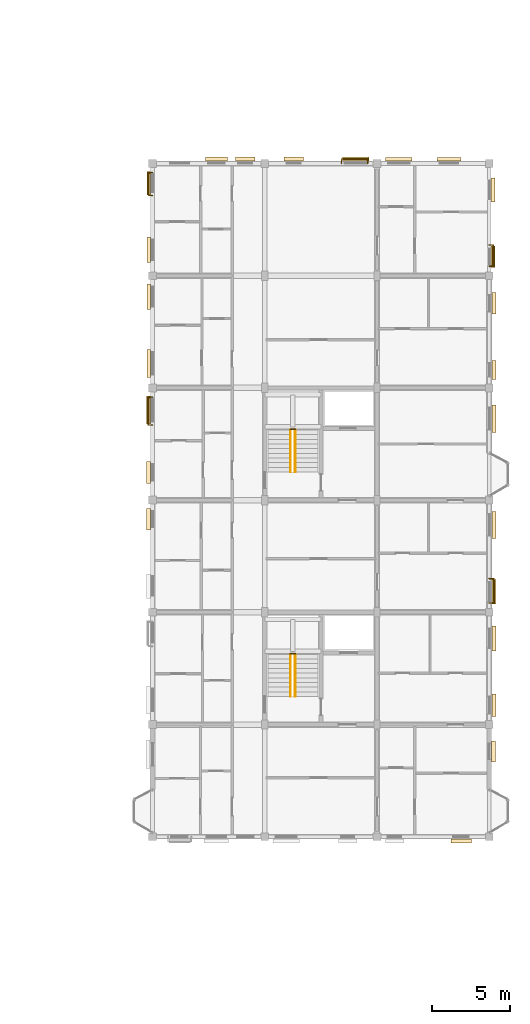
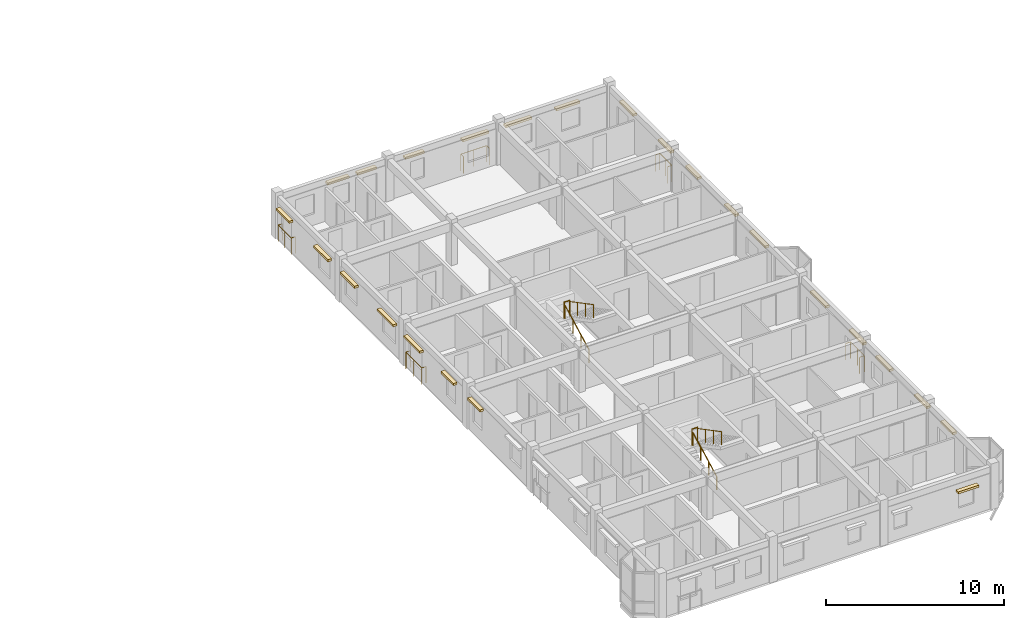
# One storey, part 61 of 64: 24 coverings, 11 railings.
"""IFC4 building model written with IfcOpenShell, lengths in metres."""

from ifc_helpers import new_model, si_unit, direction, frame, origin, origin_2d, place, context, subcontext, project, spatial, rectangle, circle, extrude, material, layer, layer_set, type_object, element, save


model = new_model("IFC4")

# Units and contexts
model_context = context("Model", 3, precision=1e-05, world=origin(), true_north=direction((0.0, 1.0)))
body_context = subcontext(model_context, "Body", "Model", "MODEL_VIEW")
ifc_project = project(units=[si_unit("LENGTHUNIT", "METRE"), si_unit("AREAUNIT", "SQUARE_METRE"), si_unit("VOLUMEUNIT", "CUBIC_METRE"), si_unit("PLANEANGLEUNIT", "RADIAN"), si_unit("MASSUNIT", "GRAM", prefix="KILO"), si_unit("THERMODYNAMICTEMPERATUREUNIT", "KELVIN"), si_unit("POWERUNIT", "WATT")], contexts=[model_context])

# Site, building, storey
site_placement = place(None, origin())
site = spatial("IfcSite", under=ifc_project, at=site_placement, CompositionType="ELEMENT")
building_placement = place(site_placement, origin())
building = spatial("IfcBuilding", under=site, at=building_placement, Name="Tavuni Mirador Residences", CompositionType="ELEMENT")
storey_placement = place(building_placement, frame((0.0, 0.0, 26.550048828125)))
storey = spatial("IfcBuildingStorey", under=building, at=storey_placement, Name="L08", CompositionType="ELEMENT", Elevation=26.550048828125)

# Coverings
ifc_material_1 = material(Name="Natural coral limestone", Category="masonry")
ifc_layer = layer(ifc_material_1, 0.054931640625, Name="Natural coral limestone", Category="masonry")
ifc_layer_set = layer_set([ifc_layer], Name="Natural coral limestone")
covering_type = type_object("IfcCoveringType", Name="CVT-CLAD-CORAL", PredefinedType="CLADDING", material=ifc_layer_set)
covering_1_placement = place(storey_placement, frame((117.0, 86.133056640625, 1.955078125), z_axis=(0.0, 0.0, 1.0), x_axis=(1.0, 0.0, 0.0)))
element("IfcCovering", 1, at=covering_1_placement, inside=storey, type_object=covering_type, Name="HOOD-1043", PredefinedType="CLADDING", context=body_context, shape_type="SweptSolid", body=[
    extrude(rectangle(XDim=1.340087890625, YDim=0.25, at=origin_2d()), origin(), (0.0, 0.0, 1.0), 0.14990234375),
])
covering_2_placement = place(storey_placement, frame((119.08447265625, 91.860107421875, 1.9501953125), z_axis=(0.0, 0.0, 1.0), x_axis=(0.0, 1.0, 0.0)))
element("IfcCovering", 2, at=covering_2_placement, inside=storey, type_object=covering_type, Name="HOOD-1044", PredefinedType="CLADDING", context=body_context, shape_type="SweptSolid", body=[
    extrude(rectangle(XDim=1.360107421875, YDim=0.260009765625, at=origin_2d()), origin(), (0.0, 0.0, 1.0), 0.159912109375),
])
covering_3_placement = place(storey_placement, frame((119.094482421875, 94.840087890625, 1.955078125), z_axis=(0.0, 0.0, 1.0), x_axis=(0.0, 1.0, 0.0)))
element("IfcCovering", 3, at=covering_3_placement, inside=storey, type_object=covering_type, Name="HOOD-1045", PredefinedType="CLADDING", context=body_context, shape_type="SweptSolid", body=[
    extrude(rectangle(XDim=1.419921875, YDim=0.25, at=origin_2d()), origin(), (0.0, 0.0, 1.0), 0.14990234375),
])
for number, where, z_axis, x_axis, name in (
    (4, (119.094482421875, 99.1201171875, 1.955078125), (0.0, 0.0, 1.0), (0.0, 1.0, 0.0), "HOOD-1046"),
    (5, (119.094482421875, 102.1201171875, 1.955078125), (0.0, 0.0, 1.0), (0.0, 1.0, 0.0), "HOOD-1047"),
):
    element("IfcCovering", number, at=place(storey_placement, frame(where, z_axis=z_axis, x_axis=x_axis)), inside=storey, type_object=covering_type, Name=name, PredefinedType="CLADDING", context=body_context, shape_type="SweptSolid", body=[
        extrude(rectangle(XDim=1.580078125, YDim=0.25, at=origin_2d()), origin(), (0.0, 0.0, 1.0), 0.14990234375),
    ])
covering_4_placement = place(storey_placement, frame((119.094482421875, 106.39990234375, 1.955078125), z_axis=(0.0, 0.0, 1.0), x_axis=(0.0, 1.0, 0.0)))
element("IfcCovering", 6, at=covering_4_placement, inside=storey, type_object=covering_type, Name="HOOD-1048", PredefinedType="CLADDING", context=body_context, shape_type="SweptSolid", body=[
    extrude(rectangle(XDim=1.739990234375, YDim=0.25, at=origin_2d()), origin(), (0.0, 0.0, 1.0), 0.14990234375),
])
covering_5_placement = place(storey_placement, frame((119.099609375, 113.219970703125, 1.9501953125), z_axis=(0.0, 0.0, 1.0), x_axis=(0.0, 1.0, 0.0)))
element("IfcCovering", 7, at=covering_5_placement, inside=storey, type_object=covering_type, Name="HOOD-1049", PredefinedType="CLADDING", context=body_context, shape_type="SweptSolid", body=[
    extrude(rectangle(XDim=1.760009765625, YDim=0.260009765625, at=origin_2d()), origin(), (0.0, 0.0, 1.0), 0.159912109375),
])
covering_6_placement = place(storey_placement, frame((119.094482421875, 116.340087890625, 2.06494140625), z_axis=(0.0, 0.0, 1.0), x_axis=(0.0, 1.0, 0.0)))
element("IfcCovering", 8, at=covering_6_placement, inside=storey, type_object=covering_type, Name="HOOD-1050", PredefinedType="CLADDING", context=body_context, shape_type="SweptSolid", body=[
    extrude(rectangle(XDim=1.219970703125, YDim=0.25, at=origin_2d()), origin(), (0.0, 0.0, 1.0), 0.14990234375),
])
for number, where, z_axis, x_axis, name in (
    (9, (119.094482421875, 120.6201171875, 2.06494140625), (0.0, 0.0, 1.0), (0.0, 1.0, 0.0), "HOOD-1051"),
    (10, (119.04443359375, 123.6201171875, 2.06494140625), (0.0, 0.0, 1.0), (0.0, 1.0, 0.0), "HOOD-1052"),
):
    element("IfcCovering", number, at=place(storey_placement, frame(where, z_axis=z_axis, x_axis=x_axis)), inside=storey, type_object=covering_type, Name=name, PredefinedType="CLADDING", context=body_context, shape_type="SweptSolid", body=[
        extrude(rectangle(XDim=1.3798828125, YDim=0.25, at=origin_2d()), origin(), (0.0, 0.0, 1.0), 0.14990234375),
    ])
for number, where, z_axis, x_axis, name in (
    (11, (119.04443359375, 127.89990234375, 2.06494140625), (0.0, 0.0, 1.0), (0.0, 1.0, 0.0), "HOOD-1053"),
    (12, (116.215087890625, 129.866943359375, 2.06494140625), (0.0, 0.0, 1.0), (-1.0, 0.0, 0.0), "HOOD-1054"),
):
    element("IfcCovering", number, at=place(storey_placement, frame(where, z_axis=z_axis, x_axis=x_axis)), inside=storey, type_object=covering_type, Name=name, PredefinedType="CLADDING", context=body_context, shape_type="SweptSolid", body=[
        extrude(rectangle(XDim=1.5400390625, YDim=0.25, at=origin_2d()), origin(), (0.0, 0.0, 1.0), 0.14990234375),
    ])
for number, where, z_axis, x_axis, name in (
    (13, (113.0048828125, 129.866943359375, 2.06494140625), (0.0, 0.0, 1.0), (-1.0, 0.0, 0.0), "HOOD-1055"),
    (14, (110.219970703125, 129.87451171875, 2.06494140625), (0.0, 0.0, 1.0), (-1.0, 0.0, 0.0), "HOOD-1056"),
):
    element("IfcCovering", number, at=place(storey_placement, frame(where, z_axis=z_axis, x_axis=x_axis)), inside=storey, type_object=covering_type, Name=name, PredefinedType="CLADDING", context=body_context, shape_type="SweptSolid", body=[
        extrude(rectangle(XDim=1.699951171875, YDim=0.25, at=origin_2d()), origin(), (0.0, 0.0, 1.0), 0.14990234375),
    ])
for number, where, z_axis, x_axis, name in (
    (15, (106.25, 129.87451171875, 2.1650390625), (0.0, 0.0, 1.0), (-1.0, 0.0, 0.0), "HOOD-1057"),
    (16, (103.155029296875, 129.87939453125, 2.1650390625), (0.0, 0.0, 1.0), (-1.0, 0.0, 0.0), "HOOD-1058"),
):
    element("IfcCovering", number, at=place(storey_placement, frame(where, z_axis=z_axis, x_axis=x_axis)), inside=storey, type_object=covering_type, Name=name, PredefinedType="CLADDING", context=body_context, shape_type="SweptSolid", body=[
        extrude(rectangle(XDim=1.239990234375, YDim=0.25, at=origin_2d()), origin(), (0.0, 0.0, 1.0), 0.14990234375),
    ])
covering_7_placement = place(storey_placement, frame((101.2900390625, 129.87939453125, 2.1650390625), z_axis=(0.0, 0.0, 1.0), x_axis=(-1.0, 0.0, 0.0)))
element("IfcCovering", 17, at=covering_7_placement, inside=storey, type_object=covering_type, Name="HOOD-1059", PredefinedType="CLADDING", context=body_context, shape_type="SweptSolid", body=[
    extrude(rectangle(XDim=1.39990234375, YDim=0.25, at=origin_2d()), origin(), (0.0, 0.0, 1.0), 0.14990234375),
])
covering_8_placement = place(storey_placement, frame((96.95556640625, 128.330078125, 2.1650390625), z_axis=(0.0, 0.0, 1.0), x_axis=(0.0, -1.0, 0.0)))
element("IfcCovering", 18, at=covering_8_placement, inside=storey, type_object=covering_type, Name="HOOD-1060", PredefinedType="CLADDING", context=body_context, shape_type="SweptSolid", body=[
    extrude(rectangle(XDim=1.47998046875, YDim=0.25, at=origin_2d()), origin(), (0.0, 0.0, 1.0), 0.14990234375),
])
for number, where, z_axis, x_axis, name in (
    (19, (96.95556640625, 124.050048828125, 2.1650390625), (0.0, 0.0, 1.0), (0.0, -1.0, 0.0), "HOOD-1061"),
    (20, (96.950439453125, 121.050048828125, 2.1650390625), (0.0, 0.0, 1.0), (0.0, -1.0, 0.0), "HOOD-1062"),
):
    element("IfcCovering", number, at=place(storey_placement, frame(where, z_axis=z_axis, x_axis=x_axis)), inside=storey, type_object=covering_type, Name=name, PredefinedType="CLADDING", context=body_context, shape_type="SweptSolid", body=[
        extrude(rectangle(XDim=1.639892578125, YDim=0.25, at=origin_2d()), origin(), (0.0, 0.0, 1.0), 0.14990234375),
    ])
for number, where, z_axis, x_axis, name in (
    (21, (96.950439453125, 116.77001953125, 2.1650390625), (0.0, 0.0, 1.0), (0.0, -1.0, 0.0), "HOOD-1063"),
    (22, (96.9404296875, 113.77001953125, 2.1650390625), (0.0, 0.0, 1.0), (0.0, -1.0, 0.0), "HOOD-1064"),
):
    element("IfcCovering", number, at=place(storey_placement, frame(where, z_axis=z_axis, x_axis=x_axis)), inside=storey, type_object=covering_type, Name=name, PredefinedType="CLADDING", context=body_context, shape_type="SweptSolid", body=[
        extrude(rectangle(XDim=1.800048828125, YDim=0.25, at=origin_2d()), origin(), (0.0, 0.0, 1.0), 0.14990234375),
    ])
for number, where, z_axis, x_axis, name in (
    (23, (96.9404296875, 109.77490234375, 2.2451171875), (0.0, 0.0, 1.0), (0.0, -1.0, 0.0), "HOOD-1065"),
    (24, (96.93310546875, 106.77490234375, 2.2451171875), (0.0, 0.0, 1.0), (0.0, -1.0, 0.0), "HOOD-1066"),
):
    element("IfcCovering", number, at=place(storey_placement, frame(where, z_axis=z_axis, x_axis=x_axis)), inside=storey, type_object=covering_type, Name=name, PredefinedType="CLADDING", context=body_context, shape_type="SweptSolid", body=[
        extrude(rectangle(XDim=1.389892578125, YDim=0.25, at=origin_2d()), origin(), (0.0, 0.0, 1.0), 0.14990234375),
    ])

# Railings
ifc_material_2 = material(Name="Structural steel S355", Category="steel")
railing_type_1 = type_object("IfcRailingType", Name="RT-BL1150", PredefinedType="BALUSTRADE", material=ifc_material_2)
railing_1_placement = place(storey_placement, frame((118.800048828125, 101.39990234375, 0.0400390625)))
element("IfcRailing", 25, at=railing_1_placement, inside=storey, type_object=railing_type_1, Name="BALC-BLK-D-L08-E02", PredefinedType="BALUSTRADE", context=body_context, shape_type="SweptSolid", body=[
    extrude(circle(Radius=0.02392578125, at=origin_2d()), frame((0.0, 0.0, 1.1259765625), z_axis=(1.0, 0.0, 0.0), x_axis=(0.0, 1.0, 0.0)), (0.0, 0.0, 1.0), 0.3125),
    extrude(circle(Radius=0.02392578125, at=origin_2d()), frame((0.3125, 0.0, 1.1259765625), z_axis=(0.0, 1.0, 0.0), x_axis=(-1.0, 0.0, 0.0)), (0.0, 0.0, 1.0), 1.56005859375),
    extrude(circle(Radius=0.02392578125, at=origin_2d()), frame((0.3125, 1.56005859375, 1.1259765625), z_axis=(-1.0, 0.0, 0.0), x_axis=(0.0, -1.0, 0.0)), (0.0, 0.0, 1.0), 0.3125),
    extrude(circle(Radius=0.02099609375, at=origin_2d()), origin(), (0.0, 0.0, 1.0), 1.101806640625),
    extrude(circle(Radius=0.02099609375, at=origin_2d()), frame((0.3125, 0.0, 0.0)), (0.0, 0.0, 1.0), 1.101806640625),
    extrude(circle(Radius=0.02099609375, at=origin_2d()), frame((0.3125, 0.780029296875, 0.0)), (0.0, 0.0, 1.0), 1.101806640625),
    extrude(circle(Radius=0.02099609375, at=origin_2d()), frame((0.3125, 1.56005859375, 0.0)), (0.0, 0.0, 1.0), 1.101806640625),
    extrude(circle(Radius=0.02099609375, at=origin_2d()), frame((0.0, 1.56005859375, 0.0)), (0.0, 0.0, 1.0), 1.101806640625),
])
railing_2_placement = place(storey_placement, frame((118.800048828125, 123.0, 0.0400390625)))
element("IfcRailing", 26, at=railing_2_placement, inside=storey, type_object=railing_type_1, Name="BALC-BLK-D-L08-E05", PredefinedType="BALUSTRADE", context=body_context, shape_type="SweptSolid", body=[
    extrude(circle(Radius=0.02392578125, at=origin_2d()), frame((0.0, 0.0, 1.1259765625), z_axis=(1.0, 0.0, 0.0), x_axis=(0.0, 1.0, 0.0)), (0.0, 0.0, 1.0), 0.262451171875),
    extrude(circle(Radius=0.02392578125, at=origin_2d()), frame((0.262451171875, 0.0, 1.1259765625), z_axis=(0.0, 1.0, 0.0), x_axis=(-1.0, 0.0, 0.0)), (0.0, 0.0, 1.0), 1.360107421875),
    extrude(circle(Radius=0.02392578125, at=origin_2d()), frame((0.262451171875, 1.360107421875, 1.1259765625), z_axis=(-1.0, 0.0, 0.0), x_axis=(0.0, -1.0, 0.0)), (0.0, 0.0, 1.0), 0.262451171875),
    extrude(circle(Radius=0.02099609375, at=origin_2d()), origin(), (0.0, 0.0, 1.0), 1.101806640625),
    extrude(circle(Radius=0.02099609375, at=origin_2d()), frame((0.262451171875, 0.0, 0.0)), (0.0, 0.0, 1.0), 1.101806640625),
    extrude(circle(Radius=0.02099609375, at=origin_2d()), frame((0.262451171875, 0.68017578125, 0.0)), (0.0, 0.0, 1.0), 1.101806640625),
    extrude(circle(Radius=0.02099609375, at=origin_2d()), frame((0.262451171875, 1.360107421875, 0.0)), (0.0, 0.0, 1.0), 1.101806640625),
    extrude(circle(Radius=0.02099609375, at=origin_2d()), frame((0.0, 1.360107421875, 0.0)), (0.0, 0.0, 1.0), 1.101806640625),
])
railing_3_placement = place(storey_placement, frame((111.0, 129.60009765625, 0.0400390625)))
element("IfcRailing", 27, at=railing_3_placement, inside=storey, type_object=railing_type_1, Name="BALC-BLK-D-L08-N01", PredefinedType="BALUSTRADE", context=body_context, shape_type="SweptSolid", body=[
    extrude(circle(Radius=0.02392578125, at=origin_2d()), frame((0.0, 0.0, 1.1259765625), z_axis=(0.0, 1.0, 0.0), x_axis=(-1.0, 0.0, 0.0)), (0.0, 0.0, 1.0), 0.29248046875),
    extrude(circle(Radius=0.02392578125, at=origin_2d()), frame((0.0, 0.29248046875, 1.1259765625), z_axis=(-1.0, 0.0, 0.0), x_axis=(0.0, -1.0, 0.0)), (0.0, 0.0, 1.0), 1.679931640625),
    extrude(circle(Radius=0.02392578125, at=origin_2d()), frame((-1.679931640625, 0.29248046875, 1.1259765625), z_axis=(0.0, -1.0, 0.0), x_axis=(1.0, 0.0, 0.0)), (0.0, 0.0, 1.0), 0.29248046875),
    extrude(circle(Radius=0.02099609375, at=origin_2d()), origin(), (0.0, 0.0, 1.0), 1.101806640625),
    extrude(circle(Radius=0.02099609375, at=origin_2d()), frame((0.0, 0.29248046875, 0.0)), (0.0, 0.0, 1.0), 1.101806640625),
    extrude(circle(Radius=0.02099609375, at=origin_2d()), frame((-0.83984375, 0.29248046875, 0.0)), (0.0, 0.0, 1.0), 1.101806640625),
    extrude(circle(Radius=0.02099609375, at=origin_2d()), frame((-1.679931640625, 0.29248046875, 0.0)), (0.0, 0.0, 1.0), 1.101806640625),
    extrude(circle(Radius=0.02099609375, at=origin_2d()), frame((-1.679931640625, 0.0, 0.0)), (0.0, 0.0, 1.0), 1.101806640625),
])
railing_4_placement = place(storey_placement, frame((97.199951171875, 129.0, 0.0400390625)))
element("IfcRailing", 28, at=railing_4_placement, inside=storey, type_object=railing_type_1, Name="BALC-BLK-D-L08-W05", PredefinedType="BALUSTRADE", context=body_context, shape_type="SweptSolid", body=[
    extrude(circle(Radius=0.02392578125, at=origin_2d()), frame((0.0, 0.0, 1.1259765625), z_axis=(-1.0, 0.0, 0.0), x_axis=(0.0, -1.0, 0.0)), (0.0, 0.0, 1.0), 0.262451171875),
    extrude(circle(Radius=0.02392578125, at=origin_2d()), frame((-0.262451171875, 0.0, 1.1259765625), z_axis=(0.0, -1.0, 0.0), x_axis=(1.0, 0.0, 0.0)), (0.0, 0.0, 1.0), 1.4599609375),
    extrude(circle(Radius=0.02392578125, at=origin_2d()), frame((-0.262451171875, -1.4599609375, 1.1259765625), z_axis=(1.0, 0.0, 0.0), x_axis=(0.0, 1.0, 0.0)), (0.0, 0.0, 1.0), 0.262451171875),
    extrude(circle(Radius=0.02099609375, at=origin_2d()), origin(), (0.0, 0.0, 1.0), 1.101806640625),
    extrude(circle(Radius=0.02099609375, at=origin_2d()), frame((-0.262451171875, 0.0, 0.0)), (0.0, 0.0, 1.0), 1.101806640625),
    extrude(circle(Radius=0.02099609375, at=origin_2d()), frame((-0.262451171875, -0.72998046875, 0.0)), (0.0, 0.0, 1.0), 1.101806640625),
    extrude(circle(Radius=0.02099609375, at=origin_2d()), frame((-0.262451171875, -1.4599609375, 0.0)), (0.0, 0.0, 1.0), 1.101806640625),
    extrude(circle(Radius=0.02099609375, at=origin_2d()), frame((0.0, -1.4599609375, 0.0)), (0.0, 0.0, 1.0), 1.101806640625),
])
railing_5_placement = place(storey_placement, frame((97.199951171875, 114.60009765625, 0.0400390625)))
element("IfcRailing", 29, at=railing_5_placement, inside=storey, type_object=railing_type_1, Name="BALC-BLK-D-L08-W03", PredefinedType="BALUSTRADE", context=body_context, shape_type="SweptSolid", body=[
    extrude(circle(Radius=0.02392578125, at=origin_2d()), frame((0.0, 0.0, 1.1259765625), z_axis=(-1.0, 0.0, 0.0), x_axis=(0.0, -1.0, 0.0)), (0.0, 0.0, 1.0), 0.27734375),
    extrude(circle(Radius=0.02392578125, at=origin_2d()), frame((-0.27734375, 0.0, 1.1259765625), z_axis=(0.0, -1.0, 0.0), x_axis=(1.0, 0.0, 0.0)), (0.0, 0.0, 1.0), 1.780029296875),
    extrude(circle(Radius=0.02392578125, at=origin_2d()), frame((-0.27734375, -1.780029296875, 1.1259765625), z_axis=(1.0, 0.0, 0.0), x_axis=(0.0, 1.0, 0.0)), (0.0, 0.0, 1.0), 0.27734375),
    extrude(circle(Radius=0.02099609375, at=origin_2d()), origin(), (0.0, 0.0, 1.0), 1.101806640625),
    extrude(circle(Radius=0.02099609375, at=origin_2d()), frame((-0.27734375, 0.0, 0.0)), (0.0, 0.0, 1.0), 1.101806640625),
    extrude(circle(Radius=0.02099609375, at=origin_2d()), frame((-0.27734375, -0.89013671875, 0.0)), (0.0, 0.0, 1.0), 1.101806640625),
    extrude(circle(Radius=0.02099609375, at=origin_2d()), frame((-0.27734375, -1.780029296875, 0.0)), (0.0, 0.0, 1.0), 1.101806640625),
    extrude(circle(Radius=0.02099609375, at=origin_2d()), frame((0.0, -1.780029296875, 0.0)), (0.0, 0.0, 1.0), 1.101806640625),
])
railing_type_2 = type_object("IfcRailingType", Name="RT-GR1120", PredefinedType="GUARDRAIL", material=ifc_material_2)
for number, where, name in (
    (30, (106.02001953125, 98.139892578125, 1.574951171875), "GRD-HL-ST7-L08"),
    (31, (106.02001953125, 112.5400390625, 1.574951171875), "GRD-HL-ST8-L08"),
):
    element("IfcRailing", number, at=place(storey_placement, frame(where)), inside=storey, type_object=railing_type_2, Name=name, PredefinedType="GUARDRAIL", context=body_context, shape_type="SweptSolid", body=[
        extrude(circle(Radius=0.02392578125, at=origin_2d()), frame((0.0, 0.0, 1.09619140625), z_axis=(1.0, 0.0, 0.0), x_axis=(0.0, 1.0, 0.0)), (0.0, 0.0, 1.0), 0.35986328125),
        extrude(circle(Radius=0.02099609375, at=origin_2d()), origin(), (0.0, 0.0, 1.0), 1.072021484375),
        extrude(circle(Radius=0.02099609375, at=origin_2d()), frame((0.35986328125, 0.0, 0.0)), (0.0, 0.0, 1.0), 1.072021484375),
    ])
railing_type_3 = type_object("IfcRailingType", Name="RT-HR920", PredefinedType="HANDRAIL", material=ifc_material_2)
railing_6_placement = place(storey_placement, frame((106.050048828125, 95.39990234375, 0.157470703125)))
element("IfcRailing", 32, at=railing_6_placement, inside=storey, type_object=railing_type_3, Name="HR-ST7-L08-F1", PredefinedType="HANDRAIL", context=body_context, shape_type="SweptSolid", body=[
    extrude(circle(Radius=0.02392578125, at=origin_2d()), frame((0.0, 0.0, 0.89599609375), z_axis=(0.0, 0.885414376231, 0.464802519747), x_axis=(-1.0, 0.0, 0.0)), (0.0, 0.0, 1.0), 3.049560546875),
    extrude(circle(Radius=0.02099609375, at=origin_2d()), origin(), (0.0, 0.0, 1.0), 0.871826171875),
    extrude(circle(Radius=0.02099609375, at=origin_2d()), frame((0.0, 0.900146484375, 0.472412109375)), (0.0, 0.0, 1.0), 0.871826171875),
    extrude(circle(Radius=0.02099609375, at=origin_2d()), frame((0.0, 1.800048828125, 0.945068359375)), (0.0, 0.0, 1.0), 0.871826171875),
    extrude(circle(Radius=0.02099609375, at=origin_2d()), frame((0.0, 2.7001953125, 1.41748046875)), (0.0, 0.0, 1.0), 0.871826171875),
])
railing_7_placement = place(storey_placement, frame((106.35009765625, 98.10009765625, 1.732421875)))
element("IfcRailing", 33, at=railing_7_placement, inside=storey, type_object=railing_type_3, Name="HR-ST7-L08-F2", PredefinedType="HANDRAIL", context=body_context, shape_type="SweptSolid", body=[
    extrude(circle(Radius=0.02392578125, at=origin_2d()), frame((0.0, 0.0, 0.89599609375), z_axis=(0.0, -0.885414376231, 0.464802519747), x_axis=(1.0, 0.0, 0.0)), (0.0, 0.0, 1.0), 3.049560546875),
    extrude(circle(Radius=0.02099609375, at=origin_2d()), origin(), (0.0, 0.0, 1.0), 0.871826171875),
    extrude(circle(Radius=0.02099609375, at=origin_2d()), frame((0.0, -0.900146484375, 0.472412109375)), (0.0, 0.0, 1.0), 0.871826171875),
    extrude(circle(Radius=0.02099609375, at=origin_2d()), frame((0.0, -1.800048828125, 0.945068359375)), (0.0, 0.0, 1.0), 0.871826171875),
    extrude(circle(Radius=0.02099609375, at=origin_2d()), frame((0.0, -2.7001953125, 1.41748046875)), (0.0, 0.0, 1.0), 0.871826171875),
])
railing_8_placement = place(storey_placement, frame((106.050048828125, 109.800048828125, 0.157470703125)))
element("IfcRailing", 34, at=railing_8_placement, inside=storey, type_object=railing_type_3, Name="HR-ST8-L08-F1", PredefinedType="HANDRAIL", context=body_context, shape_type="SweptSolid", body=[
    extrude(circle(Radius=0.02392578125, at=origin_2d()), frame((0.0, 0.0, 0.89599609375), z_axis=(0.0, 0.885397079081, 0.464835468048), x_axis=(-1.0, 0.0, 0.0)), (0.0, 0.0, 1.0), 3.04931640625),
    extrude(circle(Radius=0.02099609375, at=origin_2d()), origin(), (0.0, 0.0, 1.0), 0.871826171875),
    extrude(circle(Radius=0.02099609375, at=origin_2d()), frame((0.0, 0.89990234375, 0.472412109375)), (0.0, 0.0, 1.0), 0.871826171875),
    extrude(circle(Radius=0.02099609375, at=origin_2d()), frame((0.0, 1.800048828125, 0.945068359375)), (0.0, 0.0, 1.0), 0.871826171875),
    extrude(circle(Radius=0.02099609375, at=origin_2d()), frame((0.0, 2.699951171875, 1.41748046875)), (0.0, 0.0, 1.0), 0.871826171875),
])
railing_9_placement = place(storey_placement, frame((106.35009765625, 112.5, 1.732421875)))
element("IfcRailing", 35, at=railing_9_placement, inside=storey, type_object=railing_type_3, Name="HR-ST8-L08-F2", PredefinedType="HANDRAIL", context=body_context, shape_type="SweptSolid", body=[
    extrude(circle(Radius=0.02392578125, at=origin_2d()), frame((0.0, 0.0, 0.89599609375), z_axis=(0.0, -0.885397079081, 0.464835468048), x_axis=(1.0, 0.0, 0.0)), (0.0, 0.0, 1.0), 3.04931640625),
    extrude(circle(Radius=0.02099609375, at=origin_2d()), origin(), (0.0, 0.0, 1.0), 0.871826171875),
    extrude(circle(Radius=0.02099609375, at=origin_2d()), frame((0.0, -0.89990234375, 0.472412109375)), (0.0, 0.0, 1.0), 0.871826171875),
    extrude(circle(Radius=0.02099609375, at=origin_2d()), frame((0.0, -1.800048828125, 0.945068359375)), (0.0, 0.0, 1.0), 0.871826171875),
    extrude(circle(Radius=0.02099609375, at=origin_2d()), frame((0.0, -2.699951171875, 1.41748046875)), (0.0, 0.0, 1.0), 0.871826171875),
])

save(model, "model.ifc")
